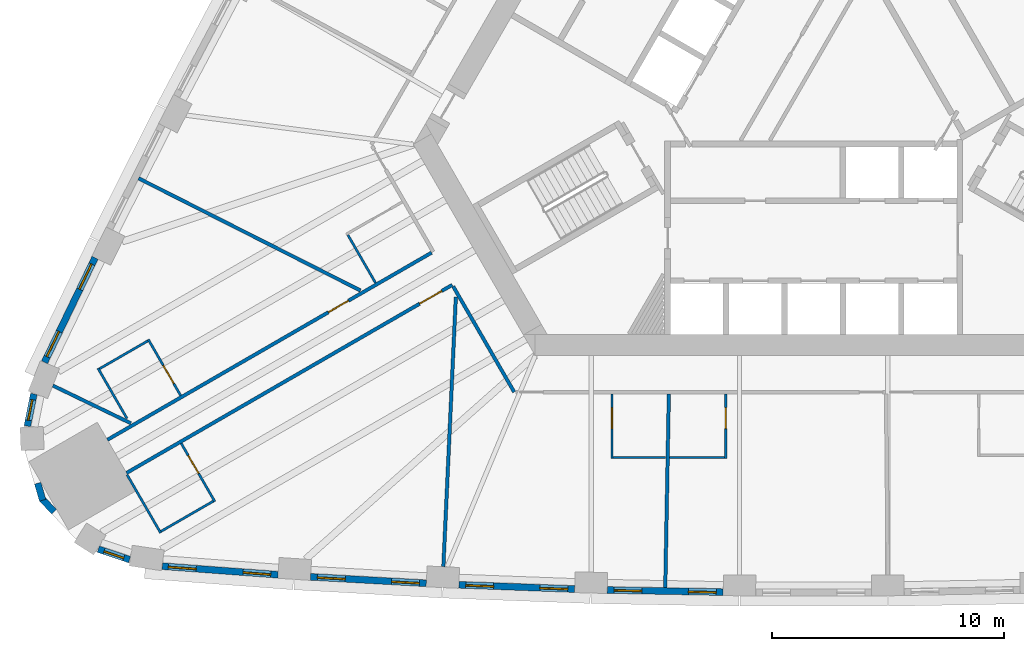
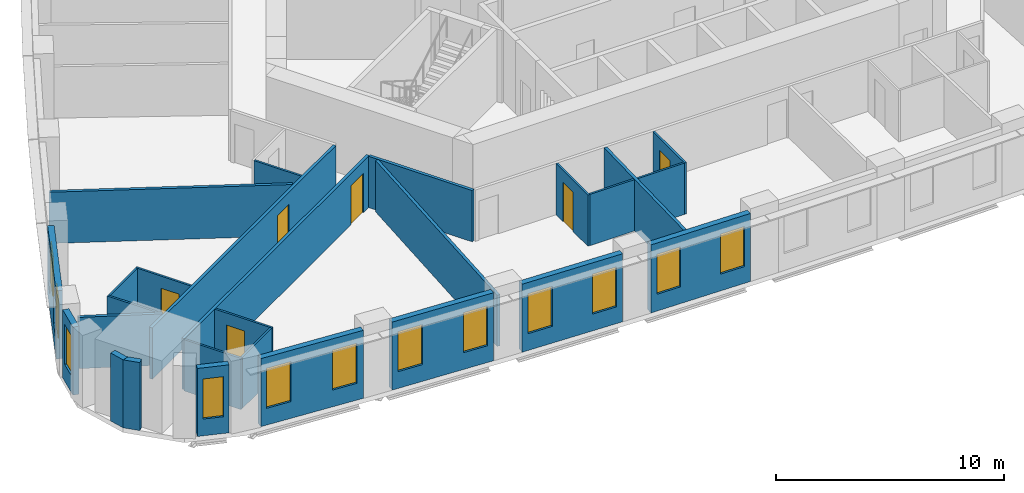
# One storey, part 3 of 12: 27 walls, 12 windows, 6 doors, 18 openings.
"""IFC4 building model written with IfcOpenShell, lengths in metres."""

from ifc_helpers import new_model, si_unit, direction, frame, frame_2d, origin, place, context, subcontext, project, spatial, rectangle, extrude, material, layer, layer_set, type_object, element, fill, save


model = new_model("IFC4")

# Units and contexts
model_context = context("Model", 3, precision=1e-05, world=origin(), true_north=direction((0.0, 1.0)))
body_context = subcontext(model_context, "Body", "Model", "MODEL_VIEW")
ifc_project = project(units=[si_unit("LENGTHUNIT", "METRE"), si_unit("AREAUNIT", "SQUARE_METRE"), si_unit("VOLUMEUNIT", "CUBIC_METRE"), si_unit("PLANEANGLEUNIT", "RADIAN"), si_unit("MASSUNIT", "GRAM", prefix="KILO")], contexts=[model_context])

# Site, building, storey
site_placement = place(None, origin())
site = spatial("IfcSite", under=ifc_project, at=site_placement, CompositionType="ELEMENT")
building_placement = place(site_placement, origin())
building = spatial("IfcBuilding", under=site, at=building_placement, Name="Mestral Congress Tower", CompositionType="ELEMENT")
storey_placement = place(building_placement, frame((0.0, 0.0, 70.5)))
storey = spatial("IfcBuildingStorey", under=building, at=storey_placement, Name="L16", CompositionType="ELEMENT", Elevation=70.5)

# Wall, openings, windows
ifc_material_1 = material(Name="Precast concrete C40/50 with limestone facing", Category="masonry")
ifc_layer_1 = layer(ifc_material_1, 0.2900390625)
ifc_layer_set_1 = layer_set([ifc_layer_1], Name="Precast concrete C40/50 with limestone facing")
wall_type_1 = type_object("IfcWallType", Name="Facade stone wall 290", PredefinedType="SOLIDWALL", material=ifc_layer_set_1)
wall_1_placement = place(storey_placement, frame((-28.097900390625, -22.086181640625, 0.0), z_axis=(0.0, 0.0, 1.0), x_axis=(0.997266290399, -0.073891447643, 0.0)))
wall_1 = element("IfcWall", 1, at=wall_1_placement, inside=storey, type_object=wall_type_1, Name="Facade wall F0-00", PredefinedType="SOLIDWALL", context=body_context, shape_type="SweptSolid", body=[
    extrude(rectangle(XDim=5.005615234375, YDim=0.2900390625, at=frame_2d((2.5029296875, 0.0))), origin(), (0.0, 0.0, 1.0), 3.64990234375),
])
opening_1_placement = place(wall_1_placement, frame((0.26513671875, 0.0, 0.89990234375)))
opening_1 = element("IfcOpeningElement", 2, at=opening_1_placement, cuts=wall_1, Name="Opening W1", PredefinedType="OPENING", context=body_context, shape_type="SweptSolid", body=[
    extrude(rectangle(XDim=1.199951171875, YDim=2.14990234375, at=frame_2d((0.60009765625, 1.074951171875))), frame((0.0, 0.155029296875, 0.0), z_axis=(0.0, -1.0, 0.0), x_axis=(1.0, 0.0, 0.0)), (0.0, 0.0, 1.0), 0.31005859375),
])
opening_2_placement = place(wall_1_placement, frame((3.49560546875, 0.0, 0.89990234375)))
opening_2 = element("IfcOpeningElement", 3, at=opening_2_placement, cuts=wall_1, Name="Opening W1", PredefinedType="OPENING", context=body_context, shape_type="SweptSolid", body=[
    extrude(rectangle(XDim=1.199951171875, YDim=2.14990234375, at=frame_2d((0.60009765625, 1.074951171875))), frame((0.0, 0.155029296875, 0.0), z_axis=(0.0, -1.0, 0.0), x_axis=(1.0, 0.0, 0.0)), (0.0, 0.0, 1.0), 0.31005859375),
])
ifc_material_2 = material(Name="Clear low-emissivity double glazing", Category="glass")
window_type_1 = type_object("IfcWindowType", Name="Facade punched window 1200 x 2150 sill 900", PartitioningType="DOUBLE_PANEL_VERTICAL", PredefinedType="WINDOW", material=ifc_material_2)
window_1_placement = place(opening_1_placement, origin())
window_1 = element("IfcWindow", 4, at=window_1_placement, inside=storey, type_object=window_type_1, Name="Window F0-00a", OverallHeight=2.14990234375, OverallWidth=1.199951171875, PartitioningType="DOUBLE_PANEL_VERTICAL", PredefinedType="WINDOW", context=body_context, shape_type="SweptSolid", body=[
    extrude(rectangle(XDim=1.199951171875, YDim=2.14990234375, at=frame_2d((0.60009765625, 1.074951171875))), frame((0.0, 0.01513671875, 0.0), z_axis=(0.0, -1.0, 0.0), x_axis=(1.0, 0.0, 0.0)), (0.0, 0.0, 1.0), 0.06005859375),
])
fill(opening_1, window_1)
window_2_placement = place(opening_2_placement, origin())
window_2 = element("IfcWindow", 5, at=window_2_placement, inside=storey, type_object=window_type_1, Name="Window F0-00b", OverallHeight=2.14990234375, OverallWidth=1.199951171875, PartitioningType="DOUBLE_PANEL_VERTICAL", PredefinedType="WINDOW", context=body_context, shape_type="SweptSolid", body=[
    extrude(rectangle(XDim=1.199951171875, YDim=2.14990234375, at=frame_2d((0.60009765625, 1.074951171875))), frame((0.0, 0.01513671875, 0.0), z_axis=(0.0, -1.0, 0.0), x_axis=(1.0, 0.0, 0.0)), (0.0, 0.0, 1.0), 0.06005859375),
])
fill(opening_2, window_2)

wall_2_placement = place(storey_placement, frame((-21.701416015625, -22.547119140625, 0.0), z_axis=(0.0, 0.0, 1.0), x_axis=(0.998464708705, -0.055391564976, 0.0)))
wall_2 = element("IfcWall", 6, at=wall_2_placement, inside=storey, type_object=wall_type_1, Name="Facade wall F0-01", PredefinedType="SOLIDWALL", context=body_context, shape_type="SweptSolid", body=[
    extrude(rectangle(XDim=4.998046875, YDim=0.2900390625, at=frame_2d((2.4990234375, 0.0))), origin(), (0.0, 0.0, 1.0), 3.64990234375),
])
opening_3_placement = place(wall_2_placement, frame((0.297119140625, 0.0, 0.89990234375)))
opening_3 = element("IfcOpeningElement", 7, at=opening_3_placement, cuts=wall_2, Name="Opening W1", PredefinedType="OPENING", context=body_context, shape_type="SweptSolid", body=[
    extrude(rectangle(XDim=1.199951171875, YDim=2.14990234375, at=frame_2d((0.60009765625, 1.074951171875))), frame((0.0, 0.155029296875, 0.0), z_axis=(0.0, -1.0, 0.0), x_axis=(1.0, 0.0, 0.0)), (0.0, 0.0, 1.0), 0.31005859375),
])
opening_4_placement = place(wall_2_placement, frame((3.501220703125, 0.0, 0.89990234375)))
opening_4 = element("IfcOpeningElement", 8, at=opening_4_placement, cuts=wall_2, Name="Opening W1", PredefinedType="OPENING", context=body_context, shape_type="SweptSolid", body=[
    extrude(rectangle(XDim=1.199951171875, YDim=2.14990234375, at=frame_2d((0.60009765625, 1.074951171875))), frame((0.0, 0.155029296875, 0.0), z_axis=(0.0, -1.0, 0.0), x_axis=(1.0, 0.0, 0.0)), (0.0, 0.0, 1.0), 0.31005859375),
])
window_3_placement = place(opening_3_placement, origin())
window_3 = element("IfcWindow", 9, at=window_3_placement, inside=storey, type_object=window_type_1, Name="Window F0-01a", OverallHeight=2.14990234375, OverallWidth=1.199951171875, PartitioningType="DOUBLE_PANEL_VERTICAL", PredefinedType="WINDOW", context=body_context, shape_type="SweptSolid", body=[
    extrude(rectangle(XDim=1.199951171875, YDim=2.14990234375, at=frame_2d((0.60009765625, 1.074951171875))), frame((0.0, 0.01513671875, 0.0), z_axis=(0.0, -1.0, 0.0), x_axis=(1.0, 0.0, 0.0)), (0.0, 0.0, 1.0), 0.06005859375),
])
fill(opening_3, window_3)
window_4_placement = place(opening_4_placement, origin())
window_4 = element("IfcWindow", 10, at=window_4_placement, inside=storey, type_object=window_type_1, Name="Window F0-01b", OverallHeight=2.14990234375, OverallWidth=1.199951171875, PartitioningType="DOUBLE_PANEL_VERTICAL", PredefinedType="WINDOW", context=body_context, shape_type="SweptSolid", body=[
    extrude(rectangle(XDim=1.199951171875, YDim=2.14990234375, at=frame_2d((0.60009765625, 1.074951171875))), frame((0.0, 0.01513671875, 0.0), z_axis=(0.0, -1.0, 0.0), x_axis=(1.0, 0.0, 0.0)), (0.0, 0.0, 1.0), 0.06005859375),
])
fill(opening_4, window_4)

wall_3_placement = place(storey_placement, frame((-15.30517578125, -22.88916015625, 0.0), z_axis=(0.0, 0.0, 1.0), x_axis=(0.999317974969, -0.036926750529, 0.0)))
wall_3 = element("IfcWall", 11, at=wall_3_placement, inside=storey, type_object=wall_type_1, Name="Facade wall F0-02", PredefinedType="SOLIDWALL", context=body_context, shape_type="SweptSolid", body=[
    extrude(rectangle(XDim=4.998291015625, YDim=0.2900390625, at=frame_2d((2.4990234375, 0.0))), origin(), (0.0, 0.0, 1.0), 3.64990234375),
])
opening_5_placement = place(wall_3_placement, frame((0.297119140625, 0.0, 0.89990234375)))
opening_5 = element("IfcOpeningElement", 12, at=opening_5_placement, cuts=wall_3, Name="Opening W1", PredefinedType="OPENING", context=body_context, shape_type="SweptSolid", body=[
    extrude(rectangle(XDim=1.199951171875, YDim=2.14990234375, at=frame_2d((0.60009765625, 1.074951171875))), frame((0.0, 0.155029296875, 0.0), z_axis=(0.0, -1.0, 0.0), x_axis=(1.0, 0.0, 0.0)), (0.0, 0.0, 1.0), 0.31005859375),
])
opening_6_placement = place(wall_3_placement, frame((3.501220703125, 0.0, 0.89990234375)))
opening_6 = element("IfcOpeningElement", 13, at=opening_6_placement, cuts=wall_3, Name="Opening W1", PredefinedType="OPENING", context=body_context, shape_type="SweptSolid", body=[
    extrude(rectangle(XDim=1.199951171875, YDim=2.14990234375, at=frame_2d((0.60009765625, 1.074951171875))), frame((0.0, 0.155029296875, 0.0), z_axis=(0.0, -1.0, 0.0), x_axis=(1.0, 0.0, 0.0)), (0.0, 0.0, 1.0), 0.31005859375),
])
window_5_placement = place(opening_5_placement, origin())
window_5 = element("IfcWindow", 14, at=window_5_placement, inside=storey, type_object=window_type_1, Name="Window F0-02a", OverallHeight=2.14990234375, OverallWidth=1.199951171875, PartitioningType="DOUBLE_PANEL_VERTICAL", PredefinedType="WINDOW", context=body_context, shape_type="SweptSolid", body=[
    extrude(rectangle(XDim=1.199951171875, YDim=2.14990234375, at=frame_2d((0.60009765625, 1.074951171875))), frame((0.0, 0.01513671875, 0.0), z_axis=(0.0, -1.0, 0.0), x_axis=(1.0, 0.0, 0.0)), (0.0, 0.0, 1.0), 0.06005859375),
])
fill(opening_5, window_5)
window_6_placement = place(opening_6_placement, origin())
window_6 = element("IfcWindow", 15, at=window_6_placement, inside=storey, type_object=window_type_1, Name="Window F0-02b", OverallHeight=2.14990234375, OverallWidth=1.199951171875, PartitioningType="DOUBLE_PANEL_VERTICAL", PredefinedType="WINDOW", context=body_context, shape_type="SweptSolid", body=[
    extrude(rectangle(XDim=1.199951171875, YDim=2.14990234375, at=frame_2d((0.60009765625, 1.074951171875))), frame((0.0, 0.01513671875, 0.0), z_axis=(0.0, -1.0, 0.0), x_axis=(1.0, 0.0, 0.0)), (0.0, 0.0, 1.0), 0.06005859375),
])
fill(opening_6, window_6)

wall_4_placement = place(storey_placement, frame((-8.903564453125, -23.11279296875, 0.0), z_axis=(0.0, 0.0, 1.0), x_axis=(0.999829529479, -0.018463801951, 0.0)))
wall_4 = element("IfcWall", 16, at=wall_4_placement, inside=storey, type_object=wall_type_1, Name="Facade wall F0-03", PredefinedType="SOLIDWALL", context=body_context, shape_type="SweptSolid", body=[
    extrude(rectangle(XDim=4.998046875, YDim=0.2900390625, at=frame_2d((2.4990234375, 0.0))), origin(), (0.0, 0.0, 1.0), 3.64990234375),
])
opening_7_placement = place(wall_4_placement, frame((0.297119140625, 0.0, 0.89990234375)))
opening_7 = element("IfcOpeningElement", 17, at=opening_7_placement, cuts=wall_4, Name="Opening W1", PredefinedType="OPENING", context=body_context, shape_type="SweptSolid", body=[
    extrude(rectangle(XDim=1.199951171875, YDim=2.14990234375, at=frame_2d((0.60009765625, 1.074951171875))), frame((0.0, 0.155029296875, 0.0), z_axis=(0.0, -1.0, 0.0), x_axis=(1.0, 0.0, 0.0)), (0.0, 0.0, 1.0), 0.31005859375),
])
opening_8_placement = place(wall_4_placement, frame((3.501220703125, 0.0, 0.89990234375)))
opening_8 = element("IfcOpeningElement", 18, at=opening_8_placement, cuts=wall_4, Name="Opening W1", PredefinedType="OPENING", context=body_context, shape_type="SweptSolid", body=[
    extrude(rectangle(XDim=1.199951171875, YDim=2.14990234375, at=frame_2d((0.60009765625, 1.074951171875))), frame((0.0, 0.155029296875, 0.0), z_axis=(0.0, -1.0, 0.0), x_axis=(1.0, 0.0, 0.0)), (0.0, 0.0, 1.0), 0.31005859375),
])
window_7_placement = place(opening_7_placement, origin())
window_7 = element("IfcWindow", 19, at=window_7_placement, inside=storey, type_object=window_type_1, Name="Window F0-03a", OverallHeight=2.14990234375, OverallWidth=1.199951171875, PartitioningType="DOUBLE_PANEL_VERTICAL", PredefinedType="WINDOW", context=body_context, shape_type="SweptSolid", body=[
    extrude(rectangle(XDim=1.199951171875, YDim=2.14990234375, at=frame_2d((0.60009765625, 1.074951171875))), frame((0.0, 0.01513671875, 0.0), z_axis=(0.0, -1.0, 0.0), x_axis=(1.0, 0.0, 0.0)), (0.0, 0.0, 1.0), 0.06005859375),
])
fill(opening_7, window_7)
window_8_placement = place(opening_8_placement, origin())
window_8 = element("IfcWindow", 20, at=window_8_placement, inside=storey, type_object=window_type_1, Name="Window F0-03b", OverallHeight=2.14990234375, OverallWidth=1.199951171875, PartitioningType="DOUBLE_PANEL_VERTICAL", PredefinedType="WINDOW", context=body_context, shape_type="SweptSolid", body=[
    extrude(rectangle(XDim=1.199951171875, YDim=2.14990234375, at=frame_2d((0.60009765625, 1.074951171875))), frame((0.0, 0.01513671875, 0.0), z_axis=(0.0, -1.0, 0.0), x_axis=(1.0, 0.0, 0.0)), (0.0, 0.0, 1.0), 0.06005859375),
])
fill(opening_8, window_8)

wall_5_placement = place(storey_placement, frame((-31.000244140625, -8.7822265625, 0.0), z_axis=(0.0, 0.0, 1.0), x_axis=(-0.434664499056, -0.900592456808, 0.0)))
wall_5 = element("IfcWall", 21, at=wall_5_placement, inside=storey, type_object=wall_type_1, Name="Facade wall F2-08", PredefinedType="SOLIDWALL", context=body_context, shape_type="SweptSolid", body=[
    extrude(rectangle(XDim=5.005615234375, YDim=0.2900390625, at=frame_2d((2.5029296875, 0.0))), origin(), (0.0, 0.0, 1.0), 3.64990234375),
])
opening_9_placement = place(wall_5_placement, frame((0.310302734375, 0.0, 0.89990234375)))
opening_9 = element("IfcOpeningElement", 22, at=opening_9_placement, cuts=wall_5, Name="Opening W1", PredefinedType="OPENING", context=body_context, shape_type="SweptSolid", body=[
    extrude(rectangle(XDim=1.199951171875, YDim=2.14990234375, at=frame_2d((0.60009765625, 1.074951171875))), frame((0.0, 0.155029296875, 0.0), z_axis=(0.0, -1.0, 0.0), x_axis=(1.0, 0.0, 0.0)), (0.0, 0.0, 1.0), 0.31005859375),
])
opening_10_placement = place(wall_5_placement, frame((3.54052734375, 0.0, 0.89990234375)))
opening_10 = element("IfcOpeningElement", 23, at=opening_10_placement, cuts=wall_5, Name="Opening W1", PredefinedType="OPENING", context=body_context, shape_type="SweptSolid", body=[
    extrude(rectangle(XDim=1.199951171875, YDim=2.14990234375, at=frame_2d((0.60009765625, 1.074951171875))), frame((0.0, 0.155029296875, 0.0), z_axis=(0.0, -1.0, 0.0), x_axis=(1.0, 0.0, 0.0)), (0.0, 0.0, 1.0), 0.31005859375),
])
window_9_placement = place(opening_9_placement, origin())
window_9 = element("IfcWindow", 24, at=window_9_placement, inside=storey, type_object=window_type_1, Name="Window F2-08a", OverallHeight=2.14990234375, OverallWidth=1.199951171875, PartitioningType="DOUBLE_PANEL_VERTICAL", PredefinedType="WINDOW", context=body_context, shape_type="SweptSolid", body=[
    extrude(rectangle(XDim=1.199951171875, YDim=2.14990234375, at=frame_2d((0.60009765625, 1.074951171875))), frame((0.0, 0.01513671875, 0.0), z_axis=(0.0, -1.0, 0.0), x_axis=(1.0, 0.0, 0.0)), (0.0, 0.0, 1.0), 0.06005859375),
])
fill(opening_9, window_9)
window_10_placement = place(opening_10_placement, origin())
window_10 = element("IfcWindow", 25, at=window_10_placement, inside=storey, type_object=window_type_1, Name="Window F2-08b", OverallHeight=2.14990234375, OverallWidth=1.199951171875, PartitioningType="DOUBLE_PANEL_VERTICAL", PredefinedType="WINDOW", context=body_context, shape_type="SweptSolid", body=[
    extrude(rectangle(XDim=1.199951171875, YDim=2.14990234375, at=frame_2d((0.60009765625, 1.074951171875))), frame((0.0, 0.01513671875, 0.0), z_axis=(0.0, -1.0, 0.0), x_axis=(1.0, 0.0, 0.0)), (0.0, 0.0, 1.0), 0.06005859375),
])
fill(opening_10, window_10)

# Wall, opening, window
wall_6_placement = place(storey_placement, frame((-33.63720703125, -14.656982421875, 0.0), z_axis=(0.0, 0.0, 1.0), x_axis=(-0.198106888228, -0.980180422594, 0.0)))
wall_6 = element("IfcWall", 26, at=wall_6_placement, inside=storey, type_object=wall_type_1, Name="Facade wall K2-0", PredefinedType="SOLIDWALL", context=body_context, shape_type="SweptSolid", body=[
    extrude(rectangle(XDim=1.414794921875, YDim=0.2900390625, at=frame_2d((0.70751953125, 0.0))), origin(), (0.0, 0.0, 1.0), 3.64990234375),
])
opening_11_placement = place(wall_6_placement, frame((0.25732421875, 0.0, 0.89990234375)))
opening_11 = element("IfcOpeningElement", 27, at=opening_11_placement, cuts=wall_6, Name="Opening W3", PredefinedType="OPENING", context=body_context, shape_type="SweptSolid", body=[
    extrude(rectangle(XDim=0.89990234375, YDim=2.14990234375, at=frame_2d((0.449951171875, 1.074951171875))), frame((0.0, 0.155029296875, 0.0), z_axis=(0.0, -1.0, 0.0), x_axis=(1.0, 0.0, 0.0)), (0.0, 0.0, 1.0), 0.31005859375),
])
window_type_2 = type_object("IfcWindowType", Name="Facade punched window 900 x 2150 sill 900", PartitioningType="SINGLE_PANEL", PredefinedType="WINDOW", material=ifc_material_2)
window_11_placement = place(opening_11_placement, origin())
window_11 = element("IfcWindow", 28, at=window_11_placement, inside=storey, type_object=window_type_2, Name="Window K2-0", OverallHeight=2.14990234375, OverallWidth=0.89990234375, PartitioningType="SINGLE_PANEL", PredefinedType="WINDOW", context=body_context, shape_type="SweptSolid", body=[
    extrude(rectangle(XDim=0.89990234375, YDim=2.14990234375, at=frame_2d((0.449951171875, 1.074951171875))), frame((0.0, 0.01513671875, 0.0), z_axis=(0.0, -1.0, 0.0), x_axis=(1.0, 0.0, 0.0)), (0.0, 0.0, 1.0), 0.06005859375),
])
fill(opening_11, window_11)

# Walls
for number, where, z_axis, x_axis, name in (
    (29, (-33.4697265625, -18.507080078125, 0.0), (0.0, 0.0, 1.0), (0.278981320915, -0.960296528464, 0.0), "Facade wall K2-1"),
    (30, (-33.291259765625, -19.180908203125, 0.0), (0.0, 0.0, 1.0), (0.692252359589, -0.721655506903, 0.0), "Facade wall K2-2"),
):
    element("IfcWall", number, at=place(storey_placement, frame(where, z_axis=z_axis, x_axis=x_axis)), inside=storey, type_object=wall_type_1, Name=name, PredefinedType="SOLIDWALL", context=body_context, shape_type="SweptSolid", body=[
        extrude(rectangle(XDim=0.763916015625, YDim=0.2900390625, at=frame_2d((0.3818359375, 0.0))), origin(), (0.0, 0.0, 1.0), 3.64990234375),
    ])

# Wall, opening, window
wall_7_placement = place(storey_placement, frame((-30.852783203125, -21.3515625, 0.0), z_axis=(0.0, 0.0, 1.0), x_axis=(0.947903891592, -0.318556450734, 0.0)))
wall_7 = element("IfcWall", 31, at=wall_7_placement, inside=storey, type_object=wall_type_1, Name="Facade wall K2-3", PredefinedType="SOLIDWALL", context=body_context, shape_type="SweptSolid", body=[
    extrude(rectangle(XDim=1.414794921875, YDim=0.2900390625, at=frame_2d((0.70751953125, 0.0))), origin(), (0.0, 0.0, 1.0), 3.64990234375),
])
opening_12_placement = place(wall_7_placement, frame((0.25732421875, 0.0, 0.89990234375)))
opening_12 = element("IfcOpeningElement", 32, at=opening_12_placement, cuts=wall_7, Name="Opening W3", PredefinedType="OPENING", context=body_context, shape_type="SweptSolid", body=[
    extrude(rectangle(XDim=0.89990234375, YDim=2.14990234375, at=frame_2d((0.449951171875, 1.074951171875))), frame((0.0, 0.155029296875, 0.0), z_axis=(0.0, -1.0, 0.0), x_axis=(1.0, 0.0, 0.0)), (0.0, 0.0, 1.0), 0.31005859375),
])
window_12_placement = place(opening_12_placement, origin())
window_12 = element("IfcWindow", 33, at=window_12_placement, inside=storey, type_object=window_type_2, Name="Window K2-3", OverallHeight=2.14990234375, OverallWidth=0.89990234375, PartitioningType="SINGLE_PANEL", PredefinedType="WINDOW", context=body_context, shape_type="SweptSolid", body=[
    extrude(rectangle(XDim=0.89990234375, YDim=2.14990234375, at=frame_2d((0.449951171875, 1.074951171875))), frame((0.0, 0.01513671875, 0.0), z_axis=(0.0, -1.0, 0.0), x_axis=(1.0, 0.0, 0.0)), (0.0, 0.0, 1.0), 0.06005859375),
])
fill(opening_12, window_12)

# Wall, opening, door
ifc_material_3 = material(Name="Gypsum board partition on metal studs with mineral wool", Category="composite")
ifc_layer_2 = layer(ifc_material_3, 0.10009765625)
ifc_layer_set_2 = layer_set([ifc_layer_2], Name="Gypsum board partition on metal studs with mineral wool")
wall_type_2 = type_object("IfcWallType", Name="Hotel partition wall 100", PredefinedType="PARTITIONING", material=ifc_layer_set_2)
wall_8_placement = place(storey_placement, frame((-25.8291015625, -19.30029296875, 0.0), z_axis=(0.0, 0.0, 1.0), x_axis=(-0.50005036918, 0.865996321171, 0.0)))
wall_8 = element("IfcWall", 34, at=wall_8_placement, inside=storey, type_object=wall_type_2, Name="L16-h-pod01a", PredefinedType="PARTITIONING", context=body_context, shape_type="SweptSolid", body=[
    extrude(rectangle(XDim=2.900146484375, YDim=0.10009765625, at=frame_2d((1.4501953125, 0.0))), origin(), (0.0, 0.0, 1.0), 2.75),
])
opening_13_placement = place(wall_8_placement, frame((1.39990234375, 0.0, 0.0)))
opening_13 = element("IfcOpeningElement", 35, at=opening_13_placement, cuts=wall_8, Name="Opening H04-002", PredefinedType="OPENING", context=body_context, shape_type="SweptSolid", body=[
    extrude(rectangle(XDim=0.89990234375, YDim=2.10009765625, at=frame_2d((0.449951171875, 1.050048828125))), frame((0.0, 0.06005859375, 0.0), z_axis=(0.0, -1.0, 0.0), x_axis=(1.0, 0.0, 0.0)), (0.0, 0.0, 1.0), 0.1201171875),
])
ifc_material_4 = material(Name="Timber veneer door leaf in timber frame", Category="wood")
door_type_1 = type_object("IfcDoorType", Name="Bathroom door 900", OperationType="SINGLE_SWING_LEFT", PredefinedType="DOOR", material=ifc_material_4)
door_1_placement = place(opening_13_placement, origin())
door_1 = element("IfcDoor", 36, at=door_1_placement, inside=storey, type_object=door_type_1, Name="L16-h-d002", OperationType="SINGLE_SWING_LEFT", OverallHeight=2.10009765625, OverallWidth=0.89990234375, PredefinedType="DOOR", context=body_context, shape_type="SweptSolid", body=[
    extrude(rectangle(XDim=0.89990234375, YDim=2.10009765625, at=frame_2d((0.449951171875, 1.050048828125))), frame((0.0, 0.02490234375, 0.0), z_axis=(0.0, -1.0, 0.0), x_axis=(1.0, 0.0, 0.0)), (0.0, 0.0, 1.0), 0.050048828125),
])
fill(opening_13, door_1)

# Walls
wall_9_placement = place(storey_placement, frame((-25.8974609375, -19.281982421875, 0.0), z_axis=(0.0, 0.0, 1.0), x_axis=(-0.866021400173, -0.500006934395, 0.0)))
element("IfcWall", 37, at=wall_9_placement, inside=storey, type_object=wall_type_2, Name="L16-h-pod01b", PredefinedType="PARTITIONING", context=body_context, shape_type="SweptSolid", body=[
    extrude(rectangle(XDim=2.60009765625, YDim=0.10009765625, at=frame_2d((1.300048828125, 0.0))), origin(), (0.0, 0.0, 1.0), 2.75),
])
wall_10_placement = place(storey_placement, frame((-29.617431640625, -18.138916015625, 0.0), z_axis=(0.0, 0.0, 1.0), x_axis=(0.499987231761, -0.866032775405, 0.0)))
element("IfcWall", 38, at=wall_10_placement, inside=storey, type_object=wall_type_2, Name="L16-h-pod01c", PredefinedType="PARTITIONING", context=body_context, shape_type="SweptSolid", body=[
    extrude(rectangle(XDim=2.89990234375, YDim=0.10009765625, at=frame_2d((1.449951171875, 0.0))), origin(), (0.0, 0.0, 1.0), 2.75),
])

# Wall, opening, door
wall_11_placement = place(storey_placement, frame((-8.70166015625, -14.64990234375, 0.0), z_axis=(0.0, 0.0, 1.0), x_axis=(0.0, -1.0, 0.0)))
wall_11 = element("IfcWall", 39, at=wall_11_placement, inside=storey, type_object=wall_type_2, Name="L16-h-pod02a", PredefinedType="PARTITIONING", context=body_context, shape_type="SweptSolid", body=[
    extrude(rectangle(XDim=2.800048828125, YDim=0.10009765625, at=frame_2d((1.39990234375, 0.0))), origin(), (0.0, 0.0, 1.0), 2.75),
])
opening_14_placement = place(wall_11_placement, frame((0.60009765625, 0.0, 0.0)))
opening_14 = element("IfcOpeningElement", 40, at=opening_14_placement, cuts=wall_11, Name="Opening H04-004", PredefinedType="OPENING", context=body_context, shape_type="SweptSolid", body=[
    extrude(rectangle(XDim=0.89990234375, YDim=2.10009765625, at=frame_2d((0.449951171875, 1.050048828125))), frame((0.0, 0.06005859375, 0.0), z_axis=(0.0, -1.0, 0.0), x_axis=(1.0, 0.0, 0.0)), (0.0, 0.0, 1.0), 0.1201171875),
])
door_2_placement = place(opening_14_placement, origin())
door_2 = element("IfcDoor", 41, at=door_2_placement, inside=storey, type_object=door_type_1, Name="L16-h-d004", OperationType="SINGLE_SWING_LEFT", OverallHeight=2.10009765625, OverallWidth=0.89990234375, PredefinedType="DOOR", context=body_context, shape_type="SweptSolid", body=[
    extrude(rectangle(XDim=0.89990234375, YDim=2.10009765625, at=frame_2d((0.449951171875, 1.050048828125))), frame((0.0, 0.02490234375, 0.0), z_axis=(0.0, -1.0, 0.0), x_axis=(1.0, 0.0, 0.0)), (0.0, 0.0, 1.0), 0.050048828125),
])
fill(opening_14, door_2)

# Wall
wall_12_placement = place(storey_placement, frame((-8.651611328125, -17.39990234375, 0.0), z_axis=(0.0, 0.0, 1.0), x_axis=(1.0, 0.0, 0.0)))
element("IfcWall", 42, at=wall_12_placement, inside=storey, type_object=wall_type_2, Name="L16-h-pod02b", PredefinedType="PARTITIONING", context=body_context, shape_type="SweptSolid", body=[
    extrude(rectangle(XDim=2.27001953125, YDim=0.10009765625, at=frame_2d((1.135009765625, 0.0))), origin(), (0.0, 0.0, 1.0), 2.75),
])

# Wall, opening, door
wall_13_placement = place(storey_placement, frame((-3.794189453125, -17.449951171875, 0.0), z_axis=(0.0, 0.0, 1.0), x_axis=(0.0, 1.0, 0.0)))
wall_13 = element("IfcWall", 43, at=wall_13_placement, inside=storey, type_object=wall_type_2, Name="L16-h-pod03a", PredefinedType="PARTITIONING", context=body_context, shape_type="SweptSolid", body=[
    extrude(rectangle(XDim=2.800048828125, YDim=0.10009765625, at=frame_2d((1.39990234375, 0.0))), origin(), (0.0, 0.0, 1.0), 2.75),
])
opening_15_placement = place(wall_13_placement, frame((1.300048828125, 0.0, 0.0)))
opening_15 = element("IfcOpeningElement", 44, at=opening_15_placement, cuts=wall_13, Name="Opening H04-006", PredefinedType="OPENING", context=body_context, shape_type="SweptSolid", body=[
    extrude(rectangle(XDim=0.89990234375, YDim=2.10009765625, at=frame_2d((0.449951171875, 1.050048828125))), frame((0.0, 0.06005859375, 0.0), z_axis=(0.0, -1.0, 0.0), x_axis=(1.0, 0.0, 0.0)), (0.0, 0.0, 1.0), 0.1201171875),
])
door_3_placement = place(opening_15_placement, origin())
door_3 = element("IfcDoor", 45, at=door_3_placement, inside=storey, type_object=door_type_1, Name="L16-h-d006", OperationType="SINGLE_SWING_RIGHT", OverallHeight=2.10009765625, OverallWidth=0.89990234375, PredefinedType="DOOR", context=body_context, shape_type="SweptSolid", body=[
    extrude(rectangle(XDim=0.89990234375, YDim=2.10009765625, at=frame_2d((0.449951171875, 1.050048828125))), frame((0.0, 0.02490234375, 0.0), z_axis=(0.0, -1.0, 0.0), x_axis=(1.0, 0.0, 0.0)), (0.0, 0.0, 1.0), 0.050048828125),
])
fill(opening_15, door_3)

# Walls
wall_14_placement = place(storey_placement, frame((-3.84423828125, -17.39990234375, 0.0), z_axis=(0.0, 0.0, 1.0), x_axis=(-1.0, 0.0, 0.0)))
element("IfcWall", 46, at=wall_14_placement, inside=storey, type_object=wall_type_2, Name="L16-h-pod03b", PredefinedType="PARTITIONING", context=body_context, shape_type="SweptSolid", body=[
    extrude(rectangle(XDim=2.3701171875, YDim=0.10009765625, at=frame_2d((1.18505859375, 0.0))), origin(), (0.0, 0.0, 1.0), 2.75),
])
wall_15_placement = place(storey_placement, frame((-20.091796875, -7.7998046875, 0.0), z_axis=(0.0, 0.0, 1.0), x_axis=(0.499940577336, -0.866059708757, 0.0)))
element("IfcWall", 47, at=wall_15_placement, inside=storey, type_object=wall_type_2, Name="L16-h-pod22b", PredefinedType="PARTITIONING", context=body_context, shape_type="SweptSolid", body=[
    extrude(rectangle(XDim=2.389892578125, YDim=0.10009765625, at=frame_2d((1.19482421875, 0.0))), origin(), (0.0, 0.0, 1.0), 2.75),
])

# Wall, opening, door
wall_16_placement = place(storey_placement, frame((-27.30419921875, -14.724853515625, 0.0), z_axis=(0.0, 0.0, 1.0), x_axis=(-0.49998411664, 0.866034573852, 0.0)))
wall_16 = element("IfcWall", 48, at=wall_16_placement, inside=storey, type_object=wall_type_2, Name="L16-h-pod23a", PredefinedType="PARTITIONING", context=body_context, shape_type="SweptSolid", body=[
    extrude(rectangle(XDim=2.7998046875, YDim=0.10009765625, at=frame_2d((1.39990234375, 0.0))), origin(), (0.0, 0.0, 1.0), 2.75),
])
opening_16_placement = place(wall_16_placement, frame((0.60009765625, 0.0, 0.0)))
opening_16 = element("IfcOpeningElement", 49, at=opening_16_placement, cuts=wall_16, Name="Opening H04-044", PredefinedType="OPENING", context=body_context, shape_type="SweptSolid", body=[
    extrude(rectangle(XDim=0.89990234375, YDim=2.10009765625, at=frame_2d((0.449951171875, 1.050048828125))), frame((0.0, 0.06005859375, 0.0), z_axis=(0.0, -1.0, 0.0), x_axis=(1.0, 0.0, 0.0)), (0.0, 0.0, 1.0), 0.1201171875),
])
door_4_placement = place(opening_16_placement, origin())
door_4 = element("IfcDoor", 50, at=door_4_placement, inside=storey, type_object=door_type_1, Name="L16-h-d044", OperationType="SINGLE_SWING_LEFT", OverallHeight=2.10009765625, OverallWidth=0.89990234375, PredefinedType="DOOR", context=body_context, shape_type="SweptSolid", body=[
    extrude(rectangle(XDim=0.89990234375, YDim=2.10009765625, at=frame_2d((0.449951171875, 1.050048828125))), frame((0.0, 0.02490234375, 0.0), z_axis=(0.0, -1.0, 0.0), x_axis=(1.0, 0.0, 0.0)), (0.0, 0.0, 1.0), 0.050048828125),
])
fill(opening_16, door_4)

# Walls
wall_17_placement = place(storey_placement, frame((-28.722412109375, -12.368408203125, 0.0), z_axis=(0.0, 0.0, 1.0), x_axis=(-0.866050077142, -0.499957262057, 0.0)))
element("IfcWall", 51, at=wall_17_placement, inside=storey, type_object=wall_type_2, Name="L16-h-pod23b", PredefinedType="PARTITIONING", context=body_context, shape_type="SweptSolid", body=[
    extrude(rectangle(XDim=2.400146484375, YDim=0.10009765625, at=frame_2d((1.2001953125, 0.0))), origin(), (0.0, 0.0, 1.0), 2.75),
])
wall_18_placement = place(storey_placement, frame((-29.619384765625, -15.715087890625, 0.0), z_axis=(0.0, 0.0, 1.0), x_axis=(-0.500004234368, 0.866022959057, 0.0)))
element("IfcWall", 52, at=wall_18_placement, inside=storey, type_object=wall_type_2, Name="L16-h-pod23c", PredefinedType="PARTITIONING", context=body_context, shape_type="SweptSolid", body=[
    extrude(rectangle(XDim=2.5, YDim=0.10009765625, at=frame_2d((1.25, 0.0))), origin(), (0.0, 0.0, 1.0), 2.75),
])

# Wall, opening, door
ifc_layer_3 = layer(ifc_material_3, 0.14990234375)
ifc_layer_set_3 = layer_set([ifc_layer_3], Name="Gypsum board partition on metal studs with mineral wool")
wall_type_3 = type_object("IfcWallType", Name="Hotel partition wall 150", PredefinedType="PARTITIONING", material=ifc_layer_set_3)
wall_19_placement = place(storey_placement, frame((-30.462646484375, -16.635009765625, 0.0), z_axis=(0.0, 0.0, 1.0), x_axis=(0.866022394896, 0.500005211512, 0.0)))
wall_19 = element("IfcWall", 53, at=wall_19_placement, inside=storey, type_object=wall_type_3, Name="L16-h-cw10", PredefinedType="PARTITIONING", context=body_context, shape_type="SweptSolid", body=[
    extrude(rectangle(XDim=16.143798828125, YDim=0.14990234375, at=frame_2d((8.07177734375, 0.0))), origin(), (0.0, 0.0, 1.0), 2.75),
])
opening_17_placement = place(wall_19_placement, frame((11.004150390625, 0.0, 0.0)))
opening_17 = element("IfcOpeningElement", 54, at=opening_17_placement, cuts=wall_19, Name="Opening H04-043", PredefinedType="OPENING", context=body_context, shape_type="SweptSolid", body=[
    extrude(rectangle(XDim=1.0, YDim=2.10009765625, at=frame_2d((0.5, 1.050048828125))), frame((0.0, 0.0849609375, 0.0), z_axis=(0.0, -1.0, 0.0), x_axis=(1.0, 0.0, 0.0)), (0.0, 0.0, 1.0), 0.169921875),
])
ifc_material_5 = material(Name="Timber veneer door leaf in metal frame", Category="wood")
door_type_2 = type_object("IfcDoorType", Name="Guest room entrance door 1000", OperationType="SINGLE_SWING_LEFT", PredefinedType="DOOR", material=ifc_material_5)
door_5_placement = place(opening_17_placement, origin())
door_5 = element("IfcDoor", 55, at=door_5_placement, inside=storey, type_object=door_type_2, Name="L16-h-d043", OperationType="SINGLE_SWING_RIGHT", OverallHeight=2.10009765625, OverallWidth=1.0, PredefinedType="DOOR", context=body_context, shape_type="SweptSolid", body=[
    extrude(rectangle(XDim=1.0, YDim=2.10009765625, at=frame_2d((0.5, 1.050048828125))), frame((0.0, 0.02490234375, 0.0), z_axis=(0.0, -1.0, 0.0), x_axis=(1.0, 0.0, 0.0)), (0.0, 0.0, 1.0), 0.050048828125),
])
fill(opening_17, door_5)

wall_20_placement = place(storey_placement, frame((-15.58740234375, -9.951904296875, 0.0), z_axis=(0.0, 0.0, 1.0), x_axis=(-0.866022197818, -0.500005552856, 0.0)))
wall_20 = element("IfcWall", 56, at=wall_20_placement, inside=storey, type_object=wall_type_3, Name="L16-h-cw11", PredefinedType="PARTITIONING", context=body_context, shape_type="SweptSolid", body=[
    extrude(rectangle(XDim=16.223876953125, YDim=0.14990234375, at=frame_2d((8.11181640625, 0.0))), origin(), (0.0, 0.0, 1.0), 2.75),
])
opening_18_placement = place(wall_20_placement, frame((0.527099609375, 0.0, 0.0)))
opening_18 = element("IfcOpeningElement", 57, at=opening_18_placement, cuts=wall_20, Name="Opening H04-001", PredefinedType="OPENING", context=body_context, shape_type="SweptSolid", body=[
    extrude(rectangle(XDim=1.10009765625, YDim=2.10009765625, at=frame_2d((0.550048828125, 1.050048828125))), frame((0.0, 0.0849609375, 0.0), z_axis=(0.0, -1.0, 0.0), x_axis=(1.0, 0.0, 0.0)), (0.0, 0.0, 1.0), 0.169921875),
])
door_type_3 = type_object("IfcDoorType", Name="Accessible room entrance door 1100", OperationType="SINGLE_SWING_LEFT", PredefinedType="DOOR", material=ifc_material_5)
door_6_placement = place(opening_18_placement, origin())
door_6 = element("IfcDoor", 58, at=door_6_placement, inside=storey, type_object=door_type_3, Name="L16-h-d001", OperationType="SINGLE_SWING_LEFT", OverallHeight=2.10009765625, OverallWidth=1.10009765625, PredefinedType="DOOR", context=body_context, shape_type="SweptSolid", body=[
    extrude(rectangle(XDim=1.10009765625, YDim=2.10009765625, at=frame_2d((0.550048828125, 1.050048828125))), frame((0.0, 0.02490234375, 0.0), z_axis=(0.0, -1.0, 0.0), x_axis=(1.0, 0.0, 0.0)), (0.0, 0.0, 1.0), 0.050048828125),
])
fill(opening_18, door_6)

# Walls
wall_21_placement = place(storey_placement, frame((-12.918212890625, -14.574951171875, 0.0), z_axis=(0.0, 0.0, 1.0), x_axis=(-0.500009150678, 0.866020120573, 0.0)))
element("IfcWall", 59, at=wall_21_placement, inside=storey, type_object=wall_type_3, Name="L16-h-cw12", PredefinedType="PARTITIONING", context=body_context, shape_type="SweptSolid", body=[
    extrude(rectangle(XDim=5.25830078125, YDim=0.14990234375, at=frame_2d((2.629150390625, 0.0))), origin(), (0.0, 0.0, 1.0), 2.75),
])
wall_22_placement = place(storey_placement, frame((-32.8173828125, -14.29638671875, 0.0), z_axis=(0.0, 0.0, 1.0), x_axis=(0.900616957918, -0.434613730927, 0.0)))
element("IfcWall", 60, at=wall_22_placement, inside=storey, type_object=wall_type_3, Name="L16-h-pw01", PredefinedType="PARTITIONING", context=body_context, shape_type="SweptSolid", body=[
    extrude(rectangle(XDim=3.7333984375, YDim=0.14990234375, at=frame_2d((1.86669921875, 0.0))), origin(), (0.0, 0.0, 1.0), 2.75),
])
wall_23_placement = place(storey_placement, frame((-29.119873046875, -5.355712890625, 0.0), z_axis=(0.0, 0.0, 1.0), x_axis=(0.892401965553, -0.451241323327, 0.0)))
element("IfcWall", 61, at=wall_23_placement, inside=storey, type_object=wall_type_3, Name="L16-h-pw02", PredefinedType="PARTITIONING", context=body_context, shape_type="SweptSolid", body=[
    extrude(rectangle(XDim=10.728759765625, YDim=0.14990234375, at=frame_2d((5.3642578125, 0.0))), origin(), (0.0, 0.0, 1.0), 2.75),
])
wall_24_placement = place(storey_placement, frame((-15.973388671875, -22.10888671875, 0.0), z_axis=(0.0, 0.0, 1.0), x_axis=(0.046191717129, 0.998932592955, 0.0)))
element("IfcWall", 62, at=wall_24_placement, inside=storey, type_object=wall_type_3, Name="L16-h-pw05", PredefinedType="PARTITIONING", context=body_context, shape_type="SweptSolid", body=[
    extrude(rectangle(XDim=11.638427734375, YDim=0.14990234375, at=frame_2d((5.8193359375, 0.0))), origin(), (0.0, 0.0, 1.0), 2.75),
])
wall_25_placement = place(storey_placement, frame((-6.40234375, -23.013916015625, 0.0), z_axis=(0.0, 0.0, 1.0), x_axis=(0.01849587109, 0.999828936745, 0.0)))
element("IfcWall", 63, at=wall_25_placement, inside=storey, type_object=wall_type_3, Name="L16-h-pw08", PredefinedType="PARTITIONING", context=body_context, shape_type="SweptSolid", body=[
    extrude(rectangle(XDim=8.35546875, YDim=0.14990234375, at=frame_2d((4.177734375, 0.0))), origin(), (0.0, 0.0, 1.0), 2.75),
])

save(model, "model.ifc")
